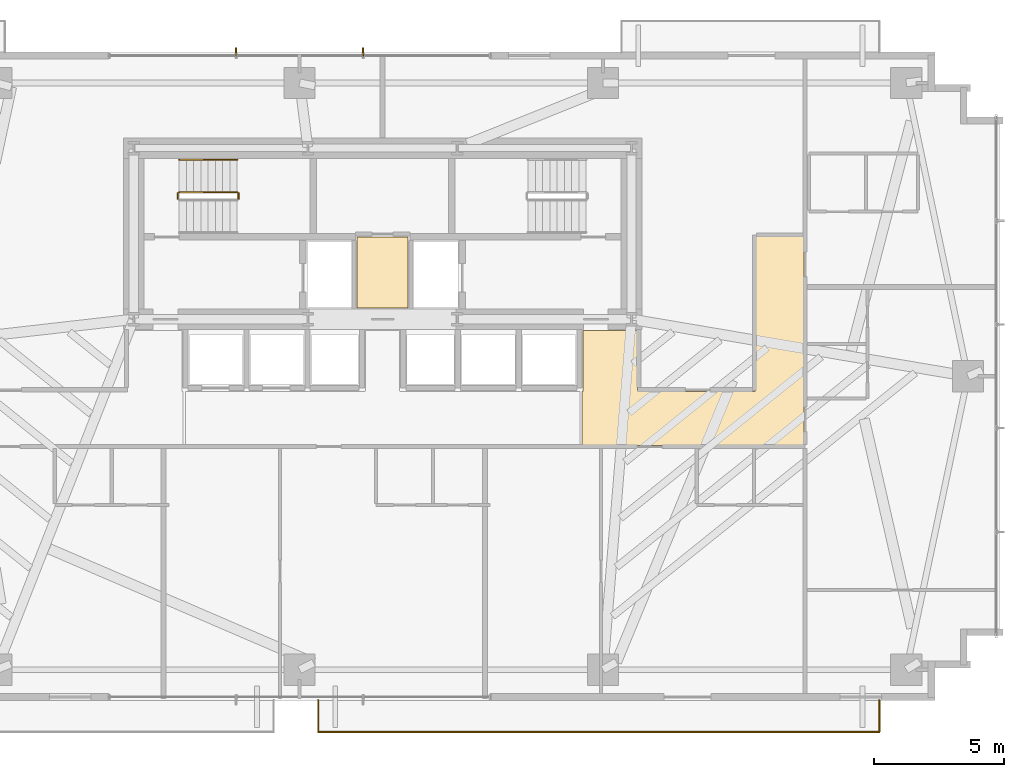
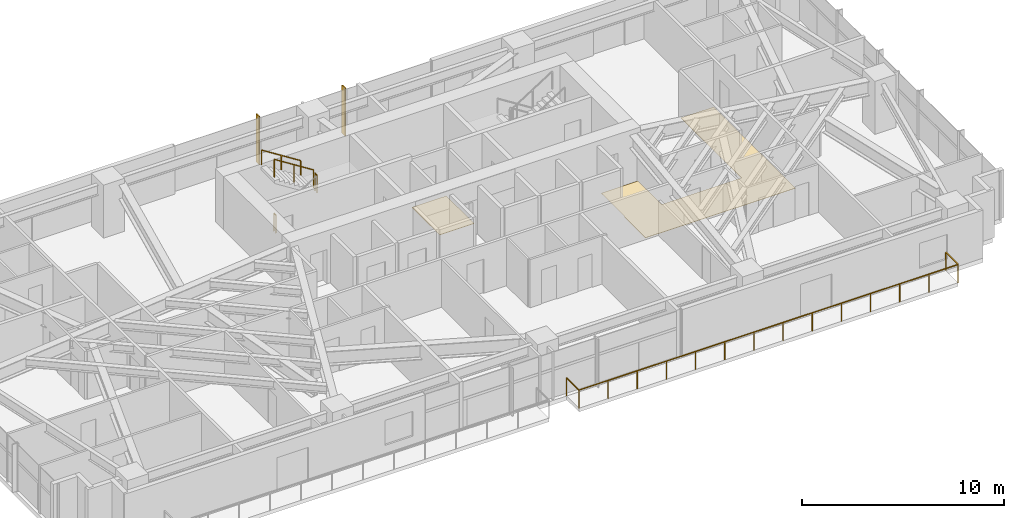
# One storey, part 24 of 25: 5 railings, 2 coverings, 2 shading devices.
"""IFC4 building model written with IfcOpenShell, lengths in metres."""

from ifc_helpers import new_model, si_unit, direction, frame, origin, origin_2d, place, context, subcontext, project, spatial, polyline, rectangle, outline, extrude, source, transform, mapped, material, layer, layer_set, type_object, type_shapes, element, save


model = new_model("IFC4")

# Units and contexts
model_context = context("Model", 3, precision=1e-05, world=origin(), true_north=direction((0.0, 1.0)))
body_context = subcontext(model_context, "Body", "Model", "MODEL_VIEW")
ifc_project = project(units=[si_unit("LENGTHUNIT", "METRE"), si_unit("AREAUNIT", "SQUARE_METRE"), si_unit("VOLUMEUNIT", "CUBIC_METRE"), si_unit("PLANEANGLEUNIT", "RADIAN"), si_unit("MASSUNIT", "GRAM", prefix="KILO")], contexts=[model_context])

# Site, building, storey
site_placement = place(None, origin())
site = spatial("IfcSite", under=ifc_project, at=site_placement, CompositionType="ELEMENT")
building_placement = place(site_placement, origin())
building = spatial("IfcBuilding", under=site, at=building_placement, Name="Astriad Promenade Condominiums", CompositionType="ELEMENT")
storey_placement = place(building_placement, frame((0.0, 0.0, 64.60009765625)))
storey = spatial("IfcBuildingStorey", under=building, at=storey_placement, Name="L18", CompositionType="ELEMENT", Elevation=64.60009765625)

# Coverings
ifc_material_1 = material(Name="Polished Lakefront Terrazzo Flooring")
ifc_layer = layer(ifc_material_1, 0.02001953125)
ifc_layer_set = layer_set([ifc_layer], Name="Polished Lakefront Terrazzo Flooring")
covering_type = type_object("IfcCoveringType", Name="COV-FLOR-TERRAZZO-20", PredefinedType="FLOORING", material=ifc_layer_set)
covering_1_placement = place(storey_placement, origin())
element("IfcCovering", 1, at=covering_1_placement, inside=storey, type_object=covering_type, Name="FLR-L18-CSL", PredefinedType="FLOORING", context=body_context, shape_type="SweptSolid", body=[
    extrude(outline(polyline([(36.97998046875, 17.840087890625), (35.02001953125, 17.840087890625), (35.02001953125, 20.580078125), (36.97998046875, 20.580078125), (36.97998046875, 17.840087890625)])), origin(), (0.0, 0.0, 1.0), 0.02001953125),
])
covering_2_placement = place(storey_placement, origin())
element("IfcCovering", 2, at=covering_2_placement, inside=storey, type_object=covering_type, Name="FLR-L18-COR-1", PredefinedType="FLOORING", context=body_context, shape_type="SweptSolid", body=[
    extrude(outline(polyline([(43.699951171875, 12.530029296875), (43.699951171875, 14.610107421875), (43.703857421875, 14.610107421875), (43.707763671875, 14.61083984375), (43.711669921875, 14.61181640625), (43.71533203125, 14.613037109375), (43.718994140625, 14.61474609375), (43.72216796875, 14.61669921875), (43.725341796875, 14.619140625), (43.728271484375, 14.62158203125), (43.73095703125, 14.62451171875), (43.7333984375, 14.627685546875), (43.7353515625, 14.631103515625), (43.737060546875, 14.634765625), (43.73828125, 14.638427734375), (43.7392578125, 14.64208984375), (43.73974609375, 14.64599609375), (43.739990234375, 14.64990234375), (43.739990234375, 16.9599609375), (45.840087890625, 16.9599609375), (45.840087890625, 14.659912109375), (45.840087890625, 14.656005859375), (45.8408203125, 14.652099609375), (45.841796875, 14.6484375), (45.843017578125, 14.644775390625), (45.8447265625, 14.64111328125), (45.8466796875, 14.6376953125), (45.84912109375, 14.634521484375), (45.851806640625, 14.631591796875), (45.8544921875, 14.629150390625), (45.85791015625, 14.626708984375), (45.861083984375, 14.624755859375), (45.86474609375, 14.623046875), (45.868408203125, 14.62158203125), (45.872314453125, 14.620849609375), (45.876220703125, 14.6201171875), (45.8798828125, 14.6201171875), (50.35009765625, 14.6201171875), (50.35400390625, 14.6201171875), (50.35791015625, 14.620849609375), (50.361572265625, 14.62158203125), (50.365234375, 14.623046875), (50.368896484375, 14.624755859375), (50.372314453125, 14.626708984375), (50.37548828125, 14.629150390625), (50.37841796875, 14.631591796875), (50.380859375, 14.634521484375), (50.38330078125, 14.6376953125), (50.38525390625, 14.64111328125), (50.386962890625, 14.644775390625), (50.38818359375, 14.6484375), (50.38916015625, 14.652099609375), (50.389892578125, 14.656005859375), (50.389892578125, 14.659912109375), (50.389892578125, 20.610107421875), (52.260009765625, 20.610107421875), (52.260009765625, 12.530029296875), (43.699951171875, 12.530029296875)])), origin(), (0.0, 0.0, 1.0), 0.02001953125),
])

# Railing
ifc_material_2 = material(Name="Laminated Glass and Stainless Steel Balustrade", Category="steel")
railing_type_1 = type_object("IfcRailingType", Name="GRD-BALC-1120", PredefinedType="BALUSTRADE", material=ifc_material_2)
shared_shape_1 = source(origin(), body_context, "Body", "SweptSolid", [
    extrude(rectangle(XDim=0.048095703125, YDim=0.048095703125, at=origin_2d()), frame((0.0, 0.0, 1.09619140625), z_axis=(0.0, -1.0, 0.0), x_axis=(1.0, 0.0, 0.0)), (0.0, 0.0, 1.0), 1.219970703125),
    extrude(rectangle(XDim=0.048095703125, YDim=0.048095703125, at=origin_2d()), frame((0.0, -1.219970703125, 1.09619140625), z_axis=(1.0, 0.0, 0.0), x_axis=(0.0, 1.0, 0.0)), (0.0, 0.0, 1.0), 21.64208984375),
    extrude(rectangle(XDim=0.048095703125, YDim=0.048095703125, at=origin_2d()), frame((21.64208984375, -1.219970703125, 1.09619140625), z_axis=(0.0, 1.0, 0.0), x_axis=(-1.0, 0.0, 0.0)), (0.0, 0.0, 1.0), 1.219970703125),
    extrude(rectangle(XDim=0.0419921875, YDim=0.0419921875, at=origin_2d()), origin(), (0.0, 0.0, 1.0), 1.072021484375),
    extrude(rectangle(XDim=0.0419921875, YDim=0.0419921875, at=origin_2d()), frame((0.0, -1.219970703125, 0.0)), (0.0, 0.0, 1.0), 1.072021484375),
    extrude(rectangle(XDim=0.0419921875, YDim=0.0419921875, at=origin_2d()), frame((1.664794921875, -1.219970703125, 0.0)), (0.0, 0.0, 1.0), 1.072021484375),
    extrude(rectangle(XDim=0.0419921875, YDim=0.0419921875, at=origin_2d()), frame((3.32958984375, -1.219970703125, 0.0)), (0.0, 0.0, 1.0), 1.072021484375),
    extrude(rectangle(XDim=0.0419921875, YDim=0.0419921875, at=origin_2d()), frame((4.994384765625, -1.219970703125, 0.0)), (0.0, 0.0, 1.0), 1.072021484375),
    extrude(rectangle(XDim=0.0419921875, YDim=0.0419921875, at=origin_2d()), frame((6.6591796875, -1.219970703125, 0.0)), (0.0, 0.0, 1.0), 1.072021484375),
    extrude(rectangle(XDim=0.0419921875, YDim=0.0419921875, at=origin_2d()), frame((8.323974609375, -1.219970703125, 0.0)), (0.0, 0.0, 1.0), 1.072021484375),
    extrude(rectangle(XDim=0.0419921875, YDim=0.0419921875, at=origin_2d()), frame((9.98876953125, -1.219970703125, 0.0)), (0.0, 0.0, 1.0), 1.072021484375),
    extrude(rectangle(XDim=0.0419921875, YDim=0.0419921875, at=origin_2d()), frame((11.6533203125, -1.219970703125, 0.0)), (0.0, 0.0, 1.0), 1.072021484375),
    extrude(rectangle(XDim=0.0419921875, YDim=0.0419921875, at=origin_2d()), frame((13.318115234375, -1.219970703125, 0.0)), (0.0, 0.0, 1.0), 1.072021484375),
    extrude(rectangle(XDim=0.0419921875, YDim=0.0419921875, at=origin_2d()), frame((14.98291015625, -1.219970703125, 0.0)), (0.0, 0.0, 1.0), 1.072021484375),
    extrude(rectangle(XDim=0.0419921875, YDim=0.0419921875, at=origin_2d()), frame((16.647705078125, -1.219970703125, 0.0)), (0.0, 0.0, 1.0), 1.072021484375),
    extrude(rectangle(XDim=0.0419921875, YDim=0.0419921875, at=origin_2d()), frame((18.3125, -1.219970703125, 0.0)), (0.0, 0.0, 1.0), 1.072021484375),
    extrude(rectangle(XDim=0.0419921875, YDim=0.0419921875, at=origin_2d()), frame((19.977294921875, -1.219970703125, 0.0)), (0.0, 0.0, 1.0), 1.072021484375),
    extrude(rectangle(XDim=0.0419921875, YDim=0.0419921875, at=origin_2d()), frame((21.64208984375, -1.219970703125, 0.0)), (0.0, 0.0, 1.0), 1.072021484375),
    extrude(rectangle(XDim=0.0419921875, YDim=0.0419921875, at=origin_2d()), frame((21.64208984375, 0.0, 0.0)), (0.0, 0.0, 1.0), 1.072021484375),
])
type_shapes(railing_type_1, [shared_shape_1])
railing_1_placement = place(storey_placement, frame((33.52197265625, 2.699951171875, 0.0)))
element("IfcRailing", 3, at=railing_1_placement, inside=storey, type_object=railing_type_1, Name="GRD-BALC-L18-SE", PredefinedType="BALUSTRADE", context=body_context, shape_type="MappedRepresentation", body=[
    mapped(shared_shape_1, transform((0.0, 0.0, 0.0), scale=1.0)),
])

# Shading devices
ifc_material_3 = material(Name="Anodised aluminium 6063-T6 Black Fin", Category="aluminium")
shading_device_type = type_object("IfcShadingDeviceType", Name="FIN-BLACK-320", PredefinedType="USERDEFINED", material=ifc_material_3)
shared_shape_2 = source(origin(), body_context, "Body", "SweptSolid", [
    extrude(rectangle(XDim=0.06494140625, YDim=0.320068359375, at=origin_2d()), origin(), (0.0, 0.0, 1.0), 2.89990234375),
])
type_shapes(shading_device_type, [shared_shape_2])
for number, where, z_axis, x_axis, name in (
    (4, (30.35009765625, 27.7099609375, 0.0), (0.0, 0.0, 1.0), (1.0, 0.0, 0.0), "CW-L18-N-FIN-01"),
    (5, (35.25, 27.7099609375, 0.0), (0.0, 0.0, 1.0), (1.0, 0.0, 0.0), "CW-L18-N-FIN-02"),
):
    element("IfcShadingDevice", number, at=place(storey_placement, frame(where, z_axis=z_axis, x_axis=x_axis)), inside=storey, type_object=shading_device_type, Name=name, ObjectType="FIN", PredefinedType="USERDEFINED", context=body_context, shape_type="MappedRepresentation", body=[
        mapped(shared_shape_2, transform((0.0, 0.0, 0.0), scale=1.0)),
    ])

# Railings
ifc_material_4 = material(Name="Painted Galvanised Steel Guardrail", Category="steel")
railing_type_2 = type_object("IfcRailingType", Name="GRD-STAIR-1100", PredefinedType="GUARDRAIL", material=ifc_material_4)
shared_shape_3 = source(origin(), body_context, "Body", "SweptSolid", [
    extrude(rectangle(XDim=0.048095703125, YDim=0.048095703125, at=origin_2d()), frame((0.0, 0.0, 1.076171875), z_axis=(0.0, 1.0, 0.0), x_axis=(-1.0, 0.0, 0.0)), (0.0, 0.0, 1.0), 0.199951171875),
    extrude(rectangle(XDim=0.0419921875, YDim=0.0419921875, at=origin_2d()), origin(), (0.0, 0.0, 1.0), 1.052001953125),
    extrude(rectangle(XDim=0.0419921875, YDim=0.0419921875, at=origin_2d()), frame((0.0, 0.199951171875, 0.0)), (0.0, 0.0, 1.0), 1.052001953125),
])
for number, where, name in (
    (6, (30.43994140625, 22.050048828125, 1.599853515625), "L18 ST-1 stair guard 2"),
    (7, (28.10009765625, 22.050048828125, 0.0), "L18 ST-1 stair guard 4"),
):
    element("IfcRailing", number, at=place(storey_placement, frame(where)), inside=storey, type_object=railing_type_2, Name=name, PredefinedType="GUARDRAIL", context=body_context, shape_type="MappedRepresentation", body=[
        mapped(shared_shape_3, transform((0.0, 0.0, 0.0), scale=1.0)),
    ])
shared_shape_4 = source(origin(), body_context, "Body", "SweptSolid", [
    extrude(rectangle(XDim=0.048095703125, YDim=0.048095703125, at=origin_2d()), frame((0.0, 0.0, 1.076171875), z_axis=(-0.84418770128, 0.0, 0.536047689118), x_axis=(0.0, -1.0, 0.0)), (0.0, 0.0, 1.0), 2.6533203125),
    extrude(rectangle(XDim=0.0419921875, YDim=0.0419921875, at=origin_2d()), origin(), (0.0, 0.0, 1.0), 1.052001953125),
    extrude(rectangle(XDim=0.0419921875, YDim=0.0419921875, at=origin_2d()), frame((-1.1201171875, 0.0, 0.711181640625)), (0.0, 0.0, 1.0), 1.052001953125),
    extrude(rectangle(XDim=0.0419921875, YDim=0.0419921875, at=origin_2d()), frame((-2.239990234375, 0.0, 1.42236328125)), (0.0, 0.0, 1.0), 1.052001953125),
])
type_shapes(railing_type_2, [shared_shape_3, shared_shape_4])
railing_2_placement = place(storey_placement, frame((30.389892578125, 22.300048828125, 1.777587890625)))
element("IfcRailing", 8, at=railing_2_placement, inside=storey, type_object=railing_type_2, Name="L18 ST-1 stair guard 3", PredefinedType="GUARDRAIL", context=body_context, shape_type="MappedRepresentation", body=[
    mapped(shared_shape_4, transform((0.0, 0.0, 0.0), scale=1.0)),
])
ifc_material_5 = material(Name="Brushed Stainless Steel Handrail", Category="steel")
railing_type_3 = type_object("IfcRailingType", Name="HRL-STAIR-920", PredefinedType="HANDRAIL", material=ifc_material_5)
shared_shape_5 = source(origin(), body_context, "Body", "SweptSolid", [
    extrude(rectangle(XDim=0.048095703125, YDim=0.048095703125, at=origin_2d()), frame((0.0, 0.0, 0.8759765625), z_axis=(-0.84418770128, 0.0, 0.536047689118), x_axis=(0.0, -1.0, 0.0)), (0.0, 0.0, 1.0), 2.6533203125),
    extrude(rectangle(XDim=0.0419921875, YDim=0.0419921875, at=origin_2d()), origin(), (0.0, 0.0, 1.0), 0.851806640625),
    extrude(rectangle(XDim=0.0419921875, YDim=0.0419921875, at=origin_2d()), frame((-1.1201171875, 0.0, 0.711181640625)), (0.0, 0.0, 1.0), 0.851806640625),
    extrude(rectangle(XDim=0.0419921875, YDim=0.0419921875, at=origin_2d()), frame((-2.239990234375, 0.0, 1.42236328125)), (0.0, 0.0, 1.0), 0.851806640625),
])
type_shapes(railing_type_3, [shared_shape_5])
railing_3_placement = place(storey_placement, frame((30.389892578125, 23.550048828125, 1.777587890625)))
element("IfcRailing", 9, at=railing_3_placement, inside=storey, type_object=railing_type_3, Name="L18 ST-1 stair handrail 2", PredefinedType="HANDRAIL", context=body_context, shape_type="MappedRepresentation", body=[
    mapped(shared_shape_5, transform((0.0, 0.0, 0.0), scale=1.0)),
])

save(model, "model.ifc")
